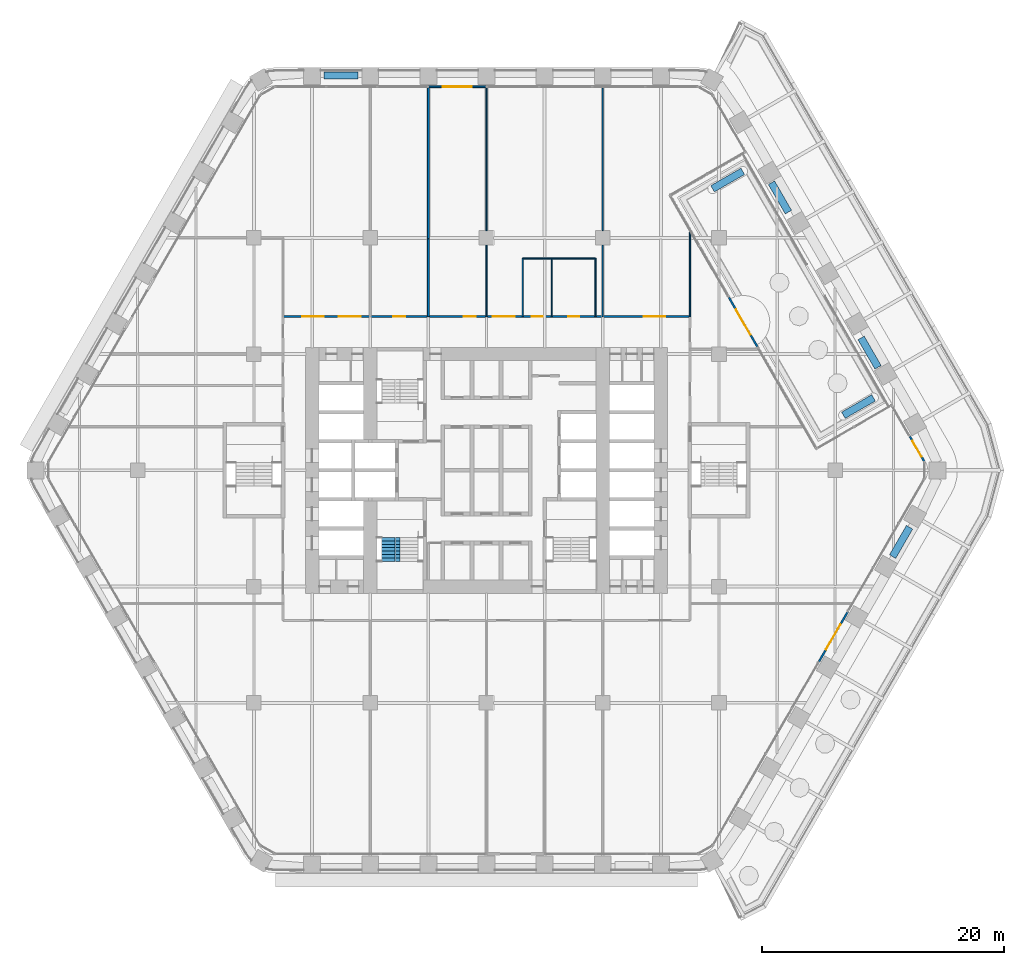
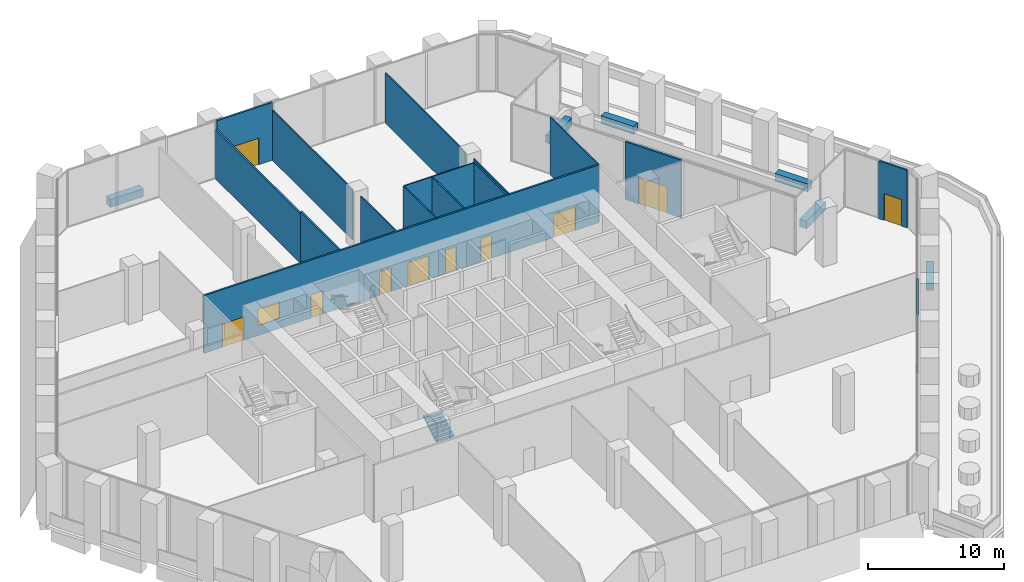
# One storey, part 25 of 32: 22 walls, 11 doors, 1 stair flight, 1 window, 12 openings, 1 element without a shape of its own.
"""IFC4 building model written with IfcOpenShell, lengths in metres."""

import ifcopenshell
import ifcopenshell.guid

model = None  # the IFC model being written
_history = None  # IfcOwnerHistory: only IFC2X3 demands one
_inside = {}  # id of a spatial element -> (the spatial element, [elements in it])
_under = {}  # id of a project, library or spatial element -> (it, [spatial elements below it])
_declared = {}  # id of a project -> (the project, [libraries it declares])
_typed = {}  # id of a type object -> (the type object, [elements of that type])
_made_of = {}  # id of a material, layer set ... -> (it, [elements and type objects made of it])


def new_model(schema):
    """Start an empty IFC model of exactly this schema.

    Asked for "IFC4X3", IfcOpenShell would pick the latest addendum, in which some entities
    have other attributes; the version numbers below select the first issue.
    IFC2X3 requires an IfcOwnerHistory on every rooted entity: one is made here for all.
    """
    global model, _history
    if schema == "IFC4X3":
        model = ifcopenshell.file(schema_version=(4, 3, 0, 0))
    else:
        model = ifcopenshell.file(schema=schema)
    _inside.clear()
    _under.clear()
    _declared.clear()
    _typed.clear()
    _made_of.clear()
    _history = None
    if model.schema == "IFC2X3":
        org = make("IfcOrganization", Name="unknown")
        user = make(
            "IfcPersonAndOrganization",
            ThePerson=make("IfcPerson", FamilyName="unknown"),
            TheOrganization=org,
        )
        app = make(
            "IfcApplication",
            ApplicationDeveloper=org,
            Version="unknown",
            ApplicationFullName="unknown",
            ApplicationIdentifier="unknown",
        )
        _history = make(
            "IfcOwnerHistory",
            OwningUser=user,
            OwningApplication=app,
            ChangeAction="ADDED",
            CreationDate=0,
        )
    return model


def make(cls, **values):
    """One entity of the class cls with the attributes given. An attribute that is None is left unset."""
    return model.create_entity(
        cls, **{name: value for name, value in values.items() if value is not None}
    )


def rooted(cls, **values):
    """An entity with a GlobalId (a new one), such as an element, a storey or a relation."""
    return make(cls, GlobalId=ifcopenshell.guid.new(), OwnerHistory=_history, **values)


def si_unit(unit_type, name, prefix=None):
    """IfcSIUnit, for example si_unit("LENGTHUNIT", "METRE", prefix="MILLI")."""
    return make("IfcSIUnit", UnitType=unit_type, Prefix=prefix, Name=name)


def assignment(units):
    """IfcUnitAssignment: the units of a project."""
    return None if units is None else make("IfcUnitAssignment", Units=units)


def point(xyz):
    """IfcCartesianPoint."""
    return None if xyz is None else make("IfcCartesianPoint", Coordinates=xyz)


def direction(xyz):
    """IfcDirection."""
    return None if xyz is None else make("IfcDirection", DirectionRatios=xyz)


def frame(location, z_axis=None, x_axis=None):
    """IfcAxis2Placement3D, a coordinate frame: its origin and axes. An axis left out is left unset."""
    return make(
        "IfcAxis2Placement3D",
        Location=point(location),
        Axis=direction(z_axis),
        RefDirection=direction(x_axis),
    )


def frame_2d(location, x_axis=None):
    """IfcAxis2Placement2D, a coordinate frame in the plane: its origin and x axis."""
    return make(
        "IfcAxis2Placement2D", Location=point(location), RefDirection=direction(x_axis)
    )


def origin():
    """The frame at (0, 0, 0) with its axes left unset."""
    return frame((0.0, 0.0, 0.0))


def place(relative_to, where):
    """IfcLocalPlacement: puts the frame where relative to a parent placement (None: the world)."""
    return make(
        "IfcLocalPlacement", PlacementRelTo=relative_to, RelativePlacement=where
    )


def context(
    kind, dimensions, precision=None, world=None, true_north=None, identifier=None
):
    """IfcGeometricRepresentationContext, for example the 3D "Model" context."""
    return make(
        "IfcGeometricRepresentationContext",
        ContextIdentifier=identifier,
        ContextType=kind,
        CoordinateSpaceDimension=dimensions,
        Precision=precision,
        WorldCoordinateSystem=world,
        TrueNorth=true_north,
    )


def subcontext(parent, identifier, kind, view, scale=None):
    """IfcGeometricRepresentationSubContext, for example "Body" below "Model"."""
    return make(
        "IfcGeometricRepresentationSubContext",
        ContextIdentifier=identifier,
        ContextType=kind,
        ParentContext=parent,
        TargetScale=scale,
        TargetView=view,
    )


def project(units=None, contexts=None):
    """IfcProject with its units and contexts."""
    return rooted(
        "IfcProject",
        Name="project",
        RepresentationContexts=contexts,
        UnitsInContext=assignment(units),
    )


def spatial(cls, under=None, at=None, **own):
    """A site, building, storey or space (cls), placed at a placement, below another one or the project."""
    s = rooted(cls, ObjectPlacement=at, **own)
    if under is not None:
        _under.setdefault(under.id(), (under, []))[1].append(s)
    return s


def polyline(points):
    """IfcPolyline through the points."""
    return make("IfcPolyline", Points=[point(p) for p in points])


def profile(cls, at=None, kind="AREA", **sizes):
    """A parametric profile (cls). Its sizes go by their IFC names, for example OverallWidth=200.0."""
    return make(cls, ProfileType=kind, Position=at, **sizes)


def rectangle(**sizes):
    """IfcRectangleProfileDef."""
    return profile("IfcRectangleProfileDef", **sizes)


def outline(outer, holes=None, kind="AREA"):
    """IfcArbitraryClosedProfileDef: a profile drawn as a closed curve; with holes, ...WithVoids."""
    if holes is None:
        return make("IfcArbitraryClosedProfileDef", ProfileType=kind, OuterCurve=outer)
    return make(
        "IfcArbitraryProfileDefWithVoids",
        ProfileType=kind,
        OuterCurve=outer,
        InnerCurves=holes,
    )


def extrude(swept, where, along, depth):
    """IfcExtrudedAreaSolid: the profile swept, set in the frame where, extruded along a direction by depth."""
    return make(
        "IfcExtrudedAreaSolid",
        SweptArea=swept,
        Position=where,
        ExtrudedDirection=direction(along),
        Depth=depth,
    )


def shape(context_of_items, identifier, shape_type, items):
    """IfcShapeRepresentation: the items that make up one representation, for example the "Body"."""
    return make(
        "IfcShapeRepresentation",
        ContextOfItems=context_of_items,
        RepresentationIdentifier=identifier,
        RepresentationType=shape_type,
        Items=items,
    )


def material(Name=None, Category=None):
    """IfcMaterial."""
    return make("IfcMaterial", Name=Name, Category=Category)


def layer(
    of_material, thickness, ventilated=None, Name=None, Category=None, Priority=None
):
    """IfcMaterialLayer: one layer of a wall or slab, of a material (None: an air gap)."""
    return make(
        "IfcMaterialLayer",
        Material=of_material,
        LayerThickness=thickness,
        IsVentilated=ventilated,
        Name=Name,
        Category=Category,
        Priority=Priority,
    )


def layer_set(layers, Name=None):
    """IfcMaterialLayerSet."""
    return make("IfcMaterialLayerSet", MaterialLayers=layers, LayerSetName=Name)


def made_of(thing, what):
    """Note that an element or type object is made of a material, layer set ...; save() writes the relation."""
    if what is not None:
        _made_of.setdefault(what.id(), (what, []))[1].append(thing)
    return thing


def type_object(cls, material=None, **own):
    """A type object (cls), such as IfcWallType, which elements share."""
    return made_of(rooted(cls, **own), material)


def element(
    cls,
    number,
    at=None,
    inside=None,
    cuts=None,
    type_object=None,
    material=None,
    context=None,
    identifier="Body",
    shape_type=None,
    held_by="IfcProductDefinitionShape",
    body=None,
    shapes=None,
    **own,
):
    """One element of the class cls, such as IfcWall. Its Tag is "e" and its number.

    at: its placement. inside: the storey or other place that contains it. cuts: it is an
    opening in that element (IfcRelVoidsElement). A single representation is given by context,
    identifier, shape_type and body (its items); several are given by shapes. held_by: the class
    of the entity that holds the representations. save() writes the other relations.
    """
    e = rooted(cls, Tag="e%d" % number, ObjectPlacement=at, **own)
    if body is not None:
        shapes = [shape(context, identifier, shape_type, body)]
    if shapes is not None:
        e.Representation = make(held_by, Representations=shapes)
    if inside is not None:
        _inside.setdefault(inside.id(), (inside, []))[1].append(e)
    if cuts is not None:
        rooted(
            "IfcRelVoidsElement", RelatingBuildingElement=cuts, RelatedOpeningElement=e
        )
    if type_object is not None:
        _typed.setdefault(type_object.id(), (type_object, []))[1].append(e)
    return made_of(e, material)


def fill(opening, filler):
    """IfcRelFillsElement: the door or window that sits in an opening."""
    return rooted(
        "IfcRelFillsElement",
        RelatingOpeningElement=opening,
        RelatedBuildingElement=filler,
    )


def aggregate(whole, parts):
    """IfcRelAggregates: a whole, such as a stair, and the parts it consists of."""
    return rooted("IfcRelAggregates", RelatingObject=whole, RelatedObjects=parts)


def save(model, path):
    """Write the relations noted so far, then the file.

    IfcRelAggregates (storeys below a building ...), IfcRelContainedInSpatialStructure (elements
    in a storey), IfcRelDefinesByType, IfcRelAssociatesMaterial and IfcRelDeclares: one each for
    every whole, place, type object, material and project.
    """
    for whole, parts in _under.values():
        aggregate(whole, parts)
    for where, things in _inside.values():
        rooted(
            "IfcRelContainedInSpatialStructure",
            RelatedElements=things,
            RelatingStructure=where,
        )
    for kind, things in _typed.values():
        rooted("IfcRelDefinesByType", RelatedObjects=things, RelatingType=kind)
    for what, things in _made_of.values():
        rooted("IfcRelAssociatesMaterial", RelatedObjects=things, RelatingMaterial=what)
    for by, libraries in _declared.values():
        rooted("IfcRelDeclares", RelatingContext=by, RelatedDefinitions=libraries)
    model.write(path)


model = new_model("IFC4")

# Units and contexts
model_context = context("Model", 3, precision=1e-05, world=origin(), true_north=direction((0.0, 1.0)))
body_context = subcontext(model_context, "Body", "Model", "MODEL_VIEW")
ifc_project = project(units=[si_unit("LENGTHUNIT", "METRE"), si_unit("AREAUNIT", "SQUARE_METRE"), si_unit("VOLUMEUNIT", "CUBIC_METRE"), si_unit("PLANEANGLEUNIT", "RADIAN"), si_unit("MASSUNIT", "GRAM", prefix="KILO")], contexts=[model_context])

# Site, building, storey
site_placement = place(None, origin())
site = spatial("IfcSite", under=ifc_project, at=site_placement, CompositionType="ELEMENT")
building_placement = place(site_placement, origin())
building = spatial("IfcBuilding", under=site, at=building_placement, Name="Kolab Exchange Tower", CompositionType="ELEMENT")
storey_placement = place(building_placement, frame((0.0, 0.0, 60.89990234375)))
storey = spatial("IfcBuildingStorey", under=building, at=storey_placement, Name="L11", CompositionType="ELEMENT", Elevation=60.89990234375)

# Wall, opening, door
ifc_material_1 = material(Name="Aluminium EN AW-6063 T6", Category="aluminium")
ifc_layer_1 = layer(ifc_material_1, 0.159912109375)
ifc_layer_set_1 = layer_set([ifc_layer_1], Name="Aluminium EN AW-6063 T6")
wall_type_1 = type_object("IfcWallType", Name="DOOR SURROUND WALL 160 ALUMINIUM FRAMED", PredefinedType="PARTITIONING", material=ifc_layer_set_1)
wall_1_placement = place(storey_placement, frame((-4.77001953125, 31.67529296875, 0.0), z_axis=(0.0, 0.0, 1.0), x_axis=(1.0, 0.0, 0.0)))
wall_1 = element("IfcWall", 1, at=wall_1_placement, inside=storey, type_object=wall_type_1, Name="Door surround wall", PredefinedType="PARTITIONING", context=body_context, shape_type="SweptSolid", body=[
    extrude(rectangle(XDim=4.739990234375, YDim=0.159912109375, at=frame_2d((2.3701171875, 0.0))), origin(), (0.0, 0.0, 1.0), 5.2001953125),
])
opening_1_placement = place(wall_1_placement, frame((1.169921875, 0.0, 0.0)))
opening_1 = element("IfcOpeningElement", 2, at=opening_1_placement, cuts=wall_1, Name="Opening GD1-023", PredefinedType="OPENING", context=body_context, shape_type="SweptSolid", body=[
    extrude(rectangle(XDim=2.39990234375, YDim=2.39990234375, at=frame_2d((1.199951171875, 1.199951171875))), frame((0.0, 0.08984375, 0.0), z_axis=(0.0, -1.0, 0.0), x_axis=(1.0, 0.0, 0.0)), (0.0, 0.0, 1.0), 0.179931640625),
])
door_type_1 = type_object("IfcDoorType", Name="LOGGIA SLIDING GLASS DOOR 2400 X 2400", OperationType="DOUBLE_DOOR_SINGLE_SWING", PredefinedType="DOOR", material=ifc_material_1)
door_1_placement = place(opening_1_placement, origin())
door_1 = element("IfcDoor", 3, at=door_1_placement, inside=storey, type_object=door_type_1, Name="Loggia door", OperationType="DOUBLE_DOOR_SLIDING", OverallHeight=2.39990234375, OverallWidth=2.39990234375, PredefinedType="DOOR", context=body_context, shape_type="SweptSolid", body=[
    extrude(rectangle(XDim=2.39990234375, YDim=2.39990234375, at=frame_2d((1.199951171875, 1.199951171875))), frame((0.0, 0.02490234375, 0.0), z_axis=(0.0, -1.0, 0.0), x_axis=(1.0, 0.0, 0.0)), (0.0, 0.0, 1.0), 0.050048828125),
])
fill(opening_1, door_1)

wall_2_placement = place(storey_placement, frame((20.00341796875, 14.303955078125, 0.0), z_axis=(0.0, 0.0, 1.0), x_axis=(0.500007367075, -0.86602115036, 0.0)))
wall_2 = element("IfcWall", 4, at=wall_2_placement, inside=storey, type_object=wall_type_1, Name="Door surround wall", PredefinedType="PARTITIONING", context=body_context, shape_type="SweptSolid", body=[
    extrude(rectangle(XDim=4.77197265625, YDim=0.159912109375, at=frame_2d((2.385986328125, 0.0))), origin(), (0.0, 0.0, 1.0), 5.2001953125),
])
opening_2_placement = place(wall_2_placement, frame((1.18603515625, 0.0, 0.0)))
opening_2 = element("IfcOpeningElement", 5, at=opening_2_placement, cuts=wall_2, Name="Opening GD1-030", PredefinedType="OPENING", context=body_context, shape_type="SweptSolid", body=[
    extrude(rectangle(XDim=2.39990234375, YDim=2.39990234375, at=frame_2d((1.199951171875, 1.199951171875))), frame((0.0, 0.08984375, 0.0), z_axis=(0.0, -1.0, 0.0), x_axis=(1.0, 0.0, 0.0)), (0.0, 0.0, 1.0), 0.179931640625),
])
door_2_placement = place(opening_2_placement, origin())
door_2 = element("IfcDoor", 6, at=door_2_placement, inside=storey, type_object=door_type_1, Name="Loggia door", OperationType="DOUBLE_DOOR_SLIDING", OverallHeight=2.39990234375, OverallWidth=2.39990234375, PredefinedType="DOOR", context=body_context, shape_type="SweptSolid", body=[
    extrude(rectangle(XDim=2.39990234375, YDim=2.39990234375, at=frame_2d((1.199951171875, 1.199951171875))), frame((0.0, 0.02490234375, 0.0), z_axis=(0.0, -1.0, 0.0), x_axis=(1.0, 0.0, 0.0)), (0.0, 0.0, 1.0), 0.050048828125),
])
fill(opening_2, door_2)

wall_3_placement = place(storey_placement, frame((34.95068359375, 2.814453125, 0.0), z_axis=(0.0, 0.0, 1.0), x_axis=(0.500001309137, -0.866024647952, 0.0)))
wall_3 = element("IfcWall", 7, at=wall_3_placement, inside=storey, type_object=wall_type_1, Name="Door surround wall", PredefinedType="PARTITIONING", context=body_context, shape_type="SweptSolid", body=[
    extrude(rectangle(XDim=2.39990234375, YDim=0.159912109375, at=frame_2d((1.199951171875, 0.0))), origin(), (0.0, 0.0, 1.0), 5.2001953125),
])
opening_3_placement = place(wall_3_placement, frame((0.449951171875, 0.0, 0.0)))
opening_3 = element("IfcOpeningElement", 8, at=opening_3_placement, cuts=wall_3, Name="Opening GD2-002", PredefinedType="OPENING", context=body_context, shape_type="SweptSolid", body=[
    extrude(rectangle(XDim=1.5, YDim=2.39990234375, at=frame_2d((0.75, 1.199951171875))), frame((0.0, 0.08984375, 0.0), z_axis=(0.0, -1.0, 0.0), x_axis=(1.0, 0.0, 0.0)), (0.0, 0.0, 1.0), 0.179931640625),
])
door_type_2 = type_object("IfcDoorType", Name="LOGGIA SLIDING GLASS DOOR 1500 X 2400", OperationType="SLIDING_TO_LEFT", PredefinedType="DOOR", material=ifc_material_1)
door_3_placement = place(opening_3_placement, origin())
door_3 = element("IfcDoor", 9, at=door_3_placement, inside=storey, type_object=door_type_2, Name="Loggia door", OperationType="DOUBLE_DOOR_SLIDING", OverallHeight=2.39990234375, OverallWidth=1.5, PredefinedType="DOOR", context=body_context, shape_type="SweptSolid", body=[
    extrude(rectangle(XDim=1.5, YDim=2.39990234375, at=frame_2d((0.75, 1.199951171875))), frame((0.0, 0.02490234375, 0.0), z_axis=(0.0, -1.0, 0.0), x_axis=(1.0, 0.0, 0.0)), (0.0, 0.0, 1.0), 0.050048828125),
])
fill(opening_3, door_3)

wall_4_placement = place(storey_placement, frame((29.816650390625, -11.706787109375, 0.0), z_axis=(0.0, 0.0, 1.0), x_axis=(-0.499978080042, -0.866038058908, 0.0)))
wall_4 = element("IfcWall", 10, at=wall_4_placement, inside=storey, type_object=wall_type_1, Name="Door surround wall", PredefinedType="PARTITIONING", context=body_context, shape_type="SweptSolid", body=[
    extrude(rectangle(XDim=4.739990234375, YDim=0.159912109375, at=frame_2d((2.3701171875, 0.0))), origin(), (0.0, 0.0, 1.0), 5.2001953125),
])
opening_4_placement = place(wall_4_placement, frame((1.169921875, 0.0, 0.0)))
opening_4 = element("IfcOpeningElement", 11, at=opening_4_placement, cuts=wall_4, Name="Opening GD1-025", PredefinedType="OPENING", context=body_context, shape_type="SweptSolid", body=[
    extrude(rectangle(XDim=2.39990234375, YDim=2.39990234375, at=frame_2d((1.199951171875, 1.199951171875))), frame((0.0, 0.08984375, 0.0), z_axis=(0.0, -1.0, 0.0), x_axis=(1.0, 0.0, 0.0)), (0.0, 0.0, 1.0), 0.179931640625),
])
door_4_placement = place(opening_4_placement, origin())
door_4 = element("IfcDoor", 12, at=door_4_placement, inside=storey, type_object=door_type_1, Name="Loggia door", OperationType="DOUBLE_DOOR_SLIDING", OverallHeight=2.39990234375, OverallWidth=2.39990234375, PredefinedType="DOOR", context=body_context, shape_type="SweptSolid", body=[
    extrude(rectangle(XDim=2.39990234375, YDim=2.39990234375, at=frame_2d((1.199951171875, 1.199951171875))), frame((0.0, 0.02490234375, 0.0), z_axis=(0.0, -1.0, 0.0), x_axis=(1.0, 0.0, 0.0)), (0.0, 0.0, 1.0), 0.050048828125),
])
fill(opening_4, door_4)

# Walls
ifc_material_2 = material(Name="Gypsum board", Category="gypsum")
ifc_layer_2 = layer(ifc_material_2, 0.10009765625)
ifc_layer_set_2 = layer_set([ifc_layer_2], Name="Gypsum board")
wall_type_2 = type_object("IfcWallType", Name="PARTITION 100", PredefinedType="PARTITIONING", material=ifc_layer_set_2)
wall_5_placement = place(storey_placement, frame((16.800048828125, 12.699951171875, 0.0), z_axis=(0.0, 0.0, 1.0), x_axis=(0.0, 1.0, 0.0)))
element("IfcWall", 13, at=wall_5_placement, inside=storey, type_object=wall_type_2, Name="Partition 000", PredefinedType="PARTITIONING", context=body_context, shape_type="SweptSolid", body=[
    extrude(rectangle(XDim=7.072265625, YDim=0.10009765625, at=frame_2d((3.5361328125, 0.0))), origin(), (0.0, 0.0, 1.0), 5.2001953125),
])
wall_6_placement = place(storey_placement, frame((9.60009765625, 12.699951171875, 0.0), z_axis=(0.0, 0.0, 1.0), x_axis=(0.0, 1.0, 0.0)))
element("IfcWall", 14, at=wall_6_placement, inside=storey, type_object=wall_type_2, Name="Partition 009", PredefinedType="PARTITIONING", context=body_context, shape_type="SweptSolid", body=[
    extrude(rectangle(XDim=5.900146484375, YDim=0.10009765625, at=frame_2d((2.9501953125, 0.0))), origin(), (0.0, 0.0, 1.0), 4.6669921875),
])
wall_7_placement = place(storey_placement, frame((9.60009765625, 19.800048828125, 0.0), z_axis=(0.0, 0.0, 1.0), x_axis=(0.0, 1.0, 0.0)))
element("IfcWall", 15, at=wall_7_placement, inside=storey, type_object=wall_type_2, Name="Partition 010", PredefinedType="PARTITIONING", context=body_context, shape_type="SweptSolid", body=[
    extrude(rectangle(XDim=11.785400390625, YDim=0.10009765625, at=frame_2d((5.892578125, 0.0))), origin(), (0.0, 0.0, 1.0), 4.51611328125),
])
for number, where, z_axis, x_axis, name in (
    (16, (9.0, 12.699951171875, 0.0), (0.0, 0.0, 1.0), (0.0, 1.0, 0.0), "Partition 011"),
    (17, (5.39990234375, 12.699951171875, 0.0), (0.0, 0.0, 1.0), (0.0, 1.0, 0.0), "Partition 012"),
    (18, (3.0, 12.699951171875, 0.0), (0.0, 0.0, 1.0), (0.0, 1.0, 0.0), "Partition 014"),
):
    element("IfcWall", number, at=place(storey_placement, frame(where, z_axis=z_axis, x_axis=x_axis)), inside=storey, type_object=wall_type_2, Name=name, PredefinedType="PARTITIONING", context=body_context, shape_type="SweptSolid", body=[
        extrude(rectangle(XDim=4.800048828125, YDim=0.10009765625, at=frame_2d((2.39990234375, 0.0))), origin(), (0.0, 0.0, 1.0), 5.2001953125),
    ])
wall_8_placement = place(storey_placement, frame((0.0, 12.699951171875, 0.0), z_axis=(0.0, 0.0, 1.0), x_axis=(0.0, 1.0, 0.0)))
element("IfcWall", 19, at=wall_8_placement, inside=storey, type_object=wall_type_2, Name="Partition 017", PredefinedType="PARTITIONING", context=body_context, shape_type="SweptSolid", body=[
    extrude(rectangle(XDim=5.900146484375, YDim=0.10009765625, at=frame_2d((2.9501953125, 0.0))), origin(), (0.0, 0.0, 1.0), 4.6669921875),
])
wall_9_placement = place(storey_placement, frame((0.0, 19.800048828125, 0.0), z_axis=(0.0, 0.0, 1.0), x_axis=(0.0, 1.0, 0.0)))
element("IfcWall", 20, at=wall_9_placement, inside=storey, type_object=wall_type_2, Name="Partition 018", PredefinedType="PARTITIONING", context=body_context, shape_type="SweptSolid", body=[
    extrude(rectangle(XDim=11.79541015625, YDim=0.10009765625, at=frame_2d((5.897705078125, 0.0))), origin(), (0.0, 0.0, 1.0), 4.51611328125),
])
wall_10_placement = place(storey_placement, frame((3.0, 17.5, 0.0), z_axis=(0.0, 0.0, 1.0), x_axis=(1.0, 0.0, 0.0)))
element("IfcWall", 21, at=wall_10_placement, inside=storey, type_object=wall_type_2, Name="Partition 043", PredefinedType="PARTITIONING", context=body_context, shape_type="SweptSolid", body=[
    extrude(rectangle(XDim=6.0, YDim=0.10009765625, at=frame_2d((3.0, 0.0))), origin(), (0.0, 0.0, 1.0), 5.2001953125),
])
ifc_layer_3 = layer(ifc_material_2, 0.14990234375)
ifc_layer_set_3 = layer_set([ifc_layer_3], Name="Gypsum board")
wall_type_3 = type_object("IfcWallType", Name="PARTITION 150 FIRE-RATED", PredefinedType="PARTITIONING", material=ifc_layer_set_3)
wall_11_placement = place(storey_placement, frame((-4.800048828125, 19.1064453125, 0.0), z_axis=(0.0, 0.0, 1.0), x_axis=(0.0, 1.0, 0.0)))
element("IfcWall", 22, at=wall_11_placement, inside=storey, type_object=wall_type_3, Name="Partition 020", PredefinedType="PARTITIONING", context=body_context, shape_type="SweptSolid", body=[
    extrude(rectangle(XDim=12.489013671875, YDim=0.14990234375, at=frame_2d((6.24462890625, 0.0))), origin(), (0.0, 0.0, 1.0), 4.43798828125),
])
wall_12_placement = place(storey_placement, frame((-4.800048828125, 12.699951171875, 0.0), z_axis=(0.0, 0.0, 1.0), x_axis=(0.0, 1.0, 0.0)))
element("IfcWall", 23, at=wall_12_placement, inside=storey, type_object=wall_type_3, Name="Partition 020", PredefinedType="PARTITIONING", context=body_context, shape_type="SweptSolid", body=[
    extrude(rectangle(XDim=6.406494140625, YDim=0.14990234375, at=frame_2d((3.203125, 0.0))), origin(), (0.0, 0.0, 1.0), 4.6669921875),
])

# Wall, openings, doors, window
wall_13_placement = place(storey_placement, frame((-16.800048828125, 12.699951171875, 0.0), z_axis=(0.0, 0.0, 1.0), x_axis=(1.0, 0.0, 0.0)))
wall_13 = element("IfcWall", 24, at=wall_13_placement, inside=storey, type_object=wall_type_3, Name="Partition 042", PredefinedType="PARTITIONING", context=body_context, shape_type="SweptSolid", body=[
    extrude(rectangle(XDim=33.60009765625, YDim=0.14990234375, at=frame_2d((16.800048828125, 0.0))), origin(), (0.0, 0.0, 1.0), 5.2001953125),
])
opening_5_placement = place(wall_13_placement, frame((1.574951171875, 0.0, 0.0)))
opening_5 = element("IfcOpeningElement", 25, at=opening_5_placement, cuts=wall_13, Name="Opening D2-031", PredefinedType="OPENING", context=body_context, shape_type="SweptSolid", body=[
    extrude(rectangle(XDim=1.800048828125, YDim=2.10009765625, at=frame_2d((0.89990234375, 1.050048828125))), frame((0.0, 0.0849609375, 0.0), z_axis=(0.0, -1.0, 0.0), x_axis=(1.0, 0.0, 0.0)), (0.0, 0.0, 1.0), 0.169921875),
])
opening_6_placement = place(wall_13_placement, frame((9.10009765625, 0.0, 0.0)))
opening_6 = element("IfcOpeningElement", 26, at=opening_6_placement, cuts=wall_13, Name="Opening D1-133", PredefinedType="OPENING", context=body_context, shape_type="SweptSolid", body=[
    extrude(rectangle(XDim=1.0, YDim=2.10009765625, at=frame_2d((0.5, 1.050048828125))), frame((0.0, 0.0849609375, 0.0), z_axis=(0.0, -1.0, 0.0), x_axis=(1.0, 0.0, 0.0)), (0.0, 0.0, 1.0), 0.169921875),
])
opening_7_placement = place(wall_13_placement, frame((14.9150390625, 0.0, 0.0)))
opening_7 = element("IfcOpeningElement", 27, at=opening_7_placement, cuts=wall_13, Name="Opening D1-134", PredefinedType="OPENING", context=body_context, shape_type="SweptSolid", body=[
    extrude(rectangle(XDim=1.0, YDim=2.10009765625, at=frame_2d((0.5, 1.050048828125))), frame((0.0, 0.0849609375, 0.0), z_axis=(0.0, -1.0, 0.0), x_axis=(1.0, 0.0, 0.0)), (0.0, 0.0, 1.0), 0.169921875),
])
opening_8_placement = place(wall_13_placement, frame((17.324951171875, 0.0, 0.0)))
opening_8 = element("IfcOpeningElement", 28, at=opening_8_placement, cuts=wall_13, Name="Opening D2-032", PredefinedType="OPENING", context=body_context, shape_type="SweptSolid", body=[
    extrude(rectangle(XDim=1.800048828125, YDim=2.10009765625, at=frame_2d((0.89990234375, 1.050048828125))), frame((0.0, 0.0849609375, 0.0), z_axis=(0.0, -1.0, 0.0), x_axis=(1.0, 0.0, 0.0)), (0.0, 0.0, 1.0), 0.169921875),
])
opening_9_placement = place(wall_13_placement, frame((29.77490234375, 0.0, 0.0)))
opening_9 = element("IfcOpeningElement", 29, at=opening_9_placement, cuts=wall_13, Name="Opening D2-033", PredefinedType="OPENING", context=body_context, shape_type="SweptSolid", body=[
    extrude(rectangle(XDim=1.800048828125, YDim=2.10009765625, at=frame_2d((0.89990234375, 1.050048828125))), frame((0.0, 0.0849609375, 0.0), z_axis=(0.0, -1.0, 0.0), x_axis=(1.0, 0.0, 0.0)), (0.0, 0.0, 1.0), 0.169921875),
])
opening_10_placement = place(wall_13_placement, frame((23.550048828125, 0.0, 0.0)))
opening_10 = element("IfcOpeningElement", 30, at=opening_10_placement, cuts=wall_13, Name="Opening D3-017", PredefinedType="OPENING", context=body_context, shape_type="SweptSolid", body=[
    extrude(rectangle(XDim=0.89990234375, YDim=2.10009765625, at=frame_2d((0.449951171875, 1.050048828125))), frame((0.0, 0.0849609375, 0.0), z_axis=(0.0, -1.0, 0.0), x_axis=(1.0, 0.0, 0.0)), (0.0, 0.0, 1.0), 0.169921875),
])
opening_11_placement = place(wall_13_placement, frame((20.550048828125, 0.0, 0.0)))
opening_11 = element("IfcOpeningElement", 31, at=opening_11_placement, cuts=wall_13, Name="Opening D3-018", PredefinedType="OPENING", context=body_context, shape_type="SweptSolid", body=[
    extrude(rectangle(XDim=0.89990234375, YDim=2.10009765625, at=frame_2d((0.449951171875, 1.050048828125))), frame((0.0, 0.0849609375, 0.0), z_axis=(0.0, -1.0, 0.0), x_axis=(1.0, 0.0, 0.0)), (0.0, 0.0, 1.0), 0.169921875),
])
opening_12_placement = place(wall_13_placement, frame((4.60009765625, 0.0, 0.89990234375)))
opening_12 = element("IfcOpeningElement", 32, at=opening_12_placement, cuts=wall_13, Name="Opening W1-006", PredefinedType="OPENING", context=body_context, shape_type="SweptSolid", body=[
    extrude(rectangle(XDim=1.800048828125, YDim=1.5, at=frame_2d((0.89990234375, 0.75))), frame((0.0, 0.0849609375, 0.0), z_axis=(0.0, -1.0, 0.0), x_axis=(1.0, 0.0, 0.0)), (0.0, 0.0, 1.0), 0.169921875),
])
ifc_material_3 = material(Name="Steel S235", Category="steel")
door_type_3 = type_object("IfcDoorType", Name="DOUBLE DOOR 1800 FD60", OperationType="DOUBLE_DOOR_SINGLE_SWING", PredefinedType="DOOR", material=ifc_material_3)
door_5_placement = place(opening_5_placement, origin())
door_5 = element("IfcDoor", 33, at=door_5_placement, inside=storey, type_object=door_type_3, Name="Door L11-051", OperationType="SINGLE_SWING_LEFT", OverallHeight=2.10009765625, OverallWidth=1.800048828125, PredefinedType="DOOR", context=body_context, shape_type="SweptSolid", body=[
    extrude(rectangle(XDim=1.800048828125, YDim=2.10009765625, at=frame_2d((0.89990234375, 1.050048828125))), frame((0.0, 0.02490234375, 0.0), z_axis=(0.0, -1.0, 0.0), x_axis=(1.0, 0.0, 0.0)), (0.0, 0.0, 1.0), 0.050048828125),
])
fill(opening_5, door_5)
door_6_placement = place(opening_8_placement, origin())
door_6 = element("IfcDoor", 34, at=door_6_placement, inside=storey, type_object=door_type_3, Name="Door L11-054", OperationType="SINGLE_SWING_LEFT", OverallHeight=2.10009765625, OverallWidth=1.800048828125, PredefinedType="DOOR", context=body_context, shape_type="SweptSolid", body=[
    extrude(rectangle(XDim=1.800048828125, YDim=2.10009765625, at=frame_2d((0.89990234375, 1.050048828125))), frame((0.0, 0.02490234375, 0.0), z_axis=(0.0, -1.0, 0.0), x_axis=(1.0, 0.0, 0.0)), (0.0, 0.0, 1.0), 0.050048828125),
])
fill(opening_8, door_6)
door_7_placement = place(opening_9_placement, origin())
door_7 = element("IfcDoor", 35, at=door_7_placement, inside=storey, type_object=door_type_3, Name="Door L11-055", OperationType="SINGLE_SWING_RIGHT", OverallHeight=2.10009765625, OverallWidth=1.800048828125, PredefinedType="DOOR", context=body_context, shape_type="SweptSolid", body=[
    extrude(rectangle(XDim=1.800048828125, YDim=2.10009765625, at=frame_2d((0.89990234375, 1.050048828125))), frame((0.0, 0.02490234375, 0.0), z_axis=(0.0, -1.0, 0.0), x_axis=(1.0, 0.0, 0.0)), (0.0, 0.0, 1.0), 0.050048828125),
])
fill(opening_9, door_7)
door_type_4 = type_object("IfcDoorType", Name="FLUSH DOOR 1000 FD60", OperationType="SINGLE_SWING_LEFT", PredefinedType="DOOR", material=ifc_material_3)
door_8_placement = place(opening_6_placement, origin())
door_8 = element("IfcDoor", 36, at=door_8_placement, inside=storey, type_object=door_type_4, Name="Door L11-052", OperationType="SINGLE_SWING_LEFT", OverallHeight=2.10009765625, OverallWidth=1.0, PredefinedType="DOOR", context=body_context, shape_type="SweptSolid", body=[
    extrude(rectangle(XDim=1.0, YDim=2.10009765625, at=frame_2d((0.5, 1.050048828125))), frame((0.0, 0.02490234375, 0.0), z_axis=(0.0, -1.0, 0.0), x_axis=(1.0, 0.0, 0.0)), (0.0, 0.0, 1.0), 0.050048828125),
])
fill(opening_6, door_8)
door_9_placement = place(opening_7_placement, origin())
door_9 = element("IfcDoor", 37, at=door_9_placement, inside=storey, type_object=door_type_4, Name="Door L11-053", OperationType="SINGLE_SWING_RIGHT", OverallHeight=2.10009765625, OverallWidth=1.0, PredefinedType="DOOR", context=body_context, shape_type="SweptSolid", body=[
    extrude(rectangle(XDim=1.0, YDim=2.10009765625, at=frame_2d((0.5, 1.050048828125))), frame((0.0, 0.02490234375, 0.0), z_axis=(0.0, -1.0, 0.0), x_axis=(1.0, 0.0, 0.0)), (0.0, 0.0, 1.0), 0.050048828125),
])
fill(opening_7, door_9)
door_type_5 = type_object("IfcDoorType", Name="FLUSH DOOR 900 FD60", OperationType="SINGLE_SWING_LEFT", PredefinedType="DOOR", material=ifc_material_3)
door_10_placement = place(opening_10_placement, origin())
door_10 = element("IfcDoor", 38, at=door_10_placement, inside=storey, type_object=door_type_5, Name="Door L11-068", OperationType="SINGLE_SWING_LEFT", OverallHeight=2.10009765625, OverallWidth=0.89990234375, PredefinedType="DOOR", context=body_context, shape_type="SweptSolid", body=[
    extrude(rectangle(XDim=0.89990234375, YDim=2.10009765625, at=frame_2d((0.449951171875, 1.050048828125))), frame((0.0, 0.02490234375, 0.0), z_axis=(0.0, -1.0, 0.0), x_axis=(1.0, 0.0, 0.0)), (0.0, 0.0, 1.0), 0.050048828125),
])
fill(opening_10, door_10)
door_11_placement = place(opening_11_placement, origin())
door_11 = element("IfcDoor", 39, at=door_11_placement, inside=storey, type_object=door_type_5, Name="Door L11-069", OperationType="SINGLE_SWING_LEFT", OverallHeight=2.10009765625, OverallWidth=0.89990234375, PredefinedType="DOOR", context=body_context, shape_type="SweptSolid", body=[
    extrude(rectangle(XDim=0.89990234375, YDim=2.10009765625, at=frame_2d((0.449951171875, 1.050048828125))), frame((0.0, 0.02490234375, 0.0), z_axis=(0.0, -1.0, 0.0), x_axis=(1.0, 0.0, 0.0)), (0.0, 0.0, 1.0), 0.050048828125),
])
fill(opening_11, door_11)
ifc_material_4 = material(Name="Fire-rated glazing", Category="glass")
window_type = type_object("IfcWindowType", Name="OBSERVATION WINDOW 1800 X 1500 EI 60", PartitioningType="SINGLE_PANEL", PredefinedType="WINDOW", material=ifc_material_4)
window_placement = place(opening_12_placement, origin())
window = element("IfcWindow", 40, at=window_placement, inside=storey, type_object=window_type, Name="Viewing window L11-2", OverallHeight=1.5, OverallWidth=1.800048828125, PartitioningType="SINGLE_PANEL", PredefinedType="WINDOW", context=body_context, shape_type="SweptSolid", body=[
    extrude(rectangle(XDim=1.800048828125, YDim=1.5, at=frame_2d((0.89990234375, 0.75))), frame((0.0, 0.030029296875, 0.0), z_axis=(0.0, -1.0, 0.0), x_axis=(1.0, 0.0, 0.0)), (0.0, 0.0, 1.0), 0.06005859375),
])
fill(opening_12, window)

# Walls
ifc_material_5 = material(Name="Granite facing", Category="masonry")
ifc_layer_4 = layer(ifc_material_5, 0.0400390625)
ifc_material_6 = material(Name="Concrete C40/50 precast", Category="concrete")
ifc_layer_5 = layer(ifc_material_6, 0.56005859375)
ifc_layer_set_4 = layer_set([ifc_layer_4, ifc_layer_5], Name="Concrete C40/50 precast")
wall_type_4 = type_object("IfcWallType", Name="PLANTER BOX 600 X 700 SOIL DEPTH 550", PredefinedType="USERDEFINED", material=ifc_layer_set_4)
for number, where, z_axis, x_axis, name in (
    (41, (-13.39990234375, 32.60546875, 0.0), (0.0, 0.0, 1.0), (1.0, 0.0, 0.0), "Planter"),
    (42, (34.93701171875, -4.697998046875, 0.0), (0.0, 0.0, 1.0), (-0.49998411664, -0.866034573852, 0.0), "Planter"),
):
    element("IfcWall", number, at=place(storey_placement, frame(where, z_axis=z_axis, x_axis=x_axis)), inside=storey, type_object=wall_type_4, Name=name, ObjectType="PLANTER", PredefinedType="USERDEFINED", context=body_context, shape_type="SweptSolid", body=[
        extrude(rectangle(XDim=2.7998046875, YDim=0.60009765625, at=frame_2d((1.39990234375, 0.0))), origin(), (0.0, 0.0, 1.0), 0.7001953125),
    ])
wall_14_placement = place(storey_placement, frame((18.67138671875, 23.250732421875, 0.0), z_axis=(0.0, 0.0, 1.0), x_axis=(0.866054314686, 0.499949921505, 0.0)))
element("IfcWall", 43, at=wall_14_placement, inside=storey, type_object=wall_type_4, Name="Planter", ObjectType="PLANTER", PredefinedType="USERDEFINED", context=body_context, shape_type="SweptSolid", body=[
    extrude(rectangle(XDim=2.880126953125, YDim=0.60009765625, at=frame_2d((1.43994140625, 0.0))), origin(), (0.0, 0.0, 1.0), 0.7001953125),
])
wall_15_placement = place(storey_placement, frame((29.471435546875, 4.544677734375, 0.0), z_axis=(0.0, 0.0, 1.0), x_axis=(0.866033125095, 0.499986626058, 0.0)))
element("IfcWall", 44, at=wall_15_placement, inside=storey, type_object=wall_type_4, Name="Planter", ObjectType="PLANTER", PredefinedType="USERDEFINED", context=body_context, shape_type="SweptSolid", body=[
    extrude(rectangle(XDim=2.8798828125, YDim=0.60009765625, at=frame_2d((1.43994140625, 0.0))), origin(), (0.0, 0.0, 1.0), 0.7001953125),
])
wall_16_placement = place(storey_placement, frame((24.93408203125, 21.32373046875, 0.0), z_axis=(0.0, 0.0, 1.0), x_axis=(-0.500011755427, 0.866018616679, 0.0)))
element("IfcWall", 45, at=wall_16_placement, inside=storey, type_object=wall_type_4, Name="Planter", ObjectType="PLANTER", PredefinedType="USERDEFINED", context=body_context, shape_type="SweptSolid", body=[
    extrude(rectangle(XDim=2.80029296875, YDim=0.60009765625, at=frame_2d((1.400146484375, 0.0))), origin(), (0.0, 0.0, 1.0), 0.7001953125),
])
wall_17_placement = place(storey_placement, frame((30.93408203125, 10.931640625, 0.0), z_axis=(0.0, 0.0, 1.0), x_axis=(0.49994636267, -0.866056369097, 0.0)))
element("IfcWall", 46, at=wall_17_placement, inside=storey, type_object=wall_type_4, Name="Planter", ObjectType="PLANTER", PredefinedType="USERDEFINED", context=body_context, shape_type="SweptSolid", body=[
    extrude(rectangle(XDim=2.800048828125, YDim=0.60009765625, at=frame_2d((1.39990234375, 0.0))), origin(), (0.0, 0.0, 1.0), 0.7001953125),
])

# Stair, stair flight
ifc_material_7 = material(Name="Concrete C50/60", Category="concrete")
stair_type = type_object("IfcStairType", Name="STAIR ST3 RISER 171.9", PredefinedType="DOUBLE_RETURN_STAIR", material=ifc_material_7)
stair_placement = place(storey_placement, origin())
stair = element("IfcStair", 47, at=stair_placement, inside=storey, type_object=stair_type, Name="Stair 3", PredefinedType="DOUBLE_RETURN_STAIR")
stair_flight_type = type_object("IfcStairFlightType", Name="STAIR FLIGHT 1500 RISER 171.9", PredefinedType="STRAIGHT", material=ifc_material_7)
stair_flight_placement = place(storey_placement, frame((-7.909912109375, -7.510009765625, 1.375), z_axis=(0.0, 0.0, 1.0), x_axis=(0.0, 1.0, 0.0)))
stair_flight = element("IfcStairFlight", 48, at=stair_flight_placement, type_object=stair_flight_type, Name="ST3 flight 2", NumberOfRisers=8, NumberOfTreads=7, PredefinedType="STRAIGHT", RiserHeight=0.171875, TreadLength=0.28, context=body_context, shape_type="SweptSolid", body=[
    extrude(outline(polyline([(0.0, 0.0), (0.0, 0.171875), (0.280029296875, 0.171875), (0.280029296875, 0.34375), (0.56005859375, 0.34375), (0.56005859375, 0.515625), (0.840087890625, 0.515625), (0.840087890625, 0.6875), (1.1201171875, 0.6875), (1.1201171875, 0.859375), (1.39990234375, 0.859375), (1.39990234375, 1.03125), (1.679931640625, 1.03125), (1.679931640625, 1.203125), (1.9599609375, 1.203125), (1.9599609375, 1.375), (1.9599609375, 1.02734375), (0.28662109375, 0.0), (0.0, 0.0)])), frame((0.0, 0.75, 0.0), z_axis=(0.0, -1.0, 0.0), x_axis=(1.0, 0.0, 0.0)), (0.0, 0.0, 1.0), 0.185791015625),
    extrude(outline(polyline([(0.0, 0.0), (0.0, 0.171875), (0.280029296875, 0.171875), (0.280029296875, 0.34375), (0.56005859375, 0.34375), (0.56005859375, 0.515625), (0.840087890625, 0.515625), (0.840087890625, 0.6875), (1.1201171875, 0.6875), (1.1201171875, 0.859375), (1.39990234375, 0.859375), (1.39990234375, 1.03125), (1.679931640625, 1.03125), (1.679931640625, 1.203125), (1.9599609375, 1.203125), (1.9599609375, 1.375), (1.9599609375, 1.02734375), (0.28662109375, 0.0), (0.0, 0.0)])), frame((0.0, 0.562255859375, 0.0), z_axis=(0.0, -1.0, 0.0), x_axis=(1.0, 0.0, 0.0)), (0.0, 0.0, 1.0), 0.185791015625),
    extrude(outline(polyline([(0.0, 0.0), (0.0, 0.171875), (0.280029296875, 0.171875), (0.280029296875, 0.34375), (0.56005859375, 0.34375), (0.56005859375, 0.515625), (0.840087890625, 0.515625), (0.840087890625, 0.6875), (1.1201171875, 0.6875), (1.1201171875, 0.859375), (1.39990234375, 0.859375), (1.39990234375, 1.03125), (1.679931640625, 1.03125), (1.679931640625, 1.203125), (1.9599609375, 1.203125), (1.9599609375, 1.375), (1.9599609375, 1.02734375), (0.28662109375, 0.0), (0.0, 0.0)])), frame((0.0, 0.37451171875, 0.0), z_axis=(0.0, -1.0, 0.0), x_axis=(1.0, 0.0, 0.0)), (0.0, 0.0, 1.0), 0.185791015625),
    extrude(outline(polyline([(0.0, 0.0), (0.0, 0.171875), (0.280029296875, 0.171875), (0.280029296875, 0.34375), (0.56005859375, 0.34375), (0.56005859375, 0.515625), (0.840087890625, 0.515625), (0.840087890625, 0.6875), (1.1201171875, 0.6875), (1.1201171875, 0.859375), (1.39990234375, 0.859375), (1.39990234375, 1.03125), (1.679931640625, 1.03125), (1.679931640625, 1.203125), (1.9599609375, 1.203125), (1.9599609375, 1.375), (1.9599609375, 1.02734375), (0.28662109375, 0.0), (0.0, 0.0)])), frame((0.0, 0.186767578125, 0.0), z_axis=(0.0, -1.0, 0.0), x_axis=(1.0, 0.0, 0.0)), (0.0, 0.0, 1.0), 0.185791015625),
    extrude(outline(polyline([(0.0, 0.0), (0.0, 0.171875), (0.280029296875, 0.171875), (0.280029296875, 0.34375), (0.56005859375, 0.34375), (0.56005859375, 0.515625), (0.840087890625, 0.515625), (0.840087890625, 0.6875), (1.1201171875, 0.6875), (1.1201171875, 0.859375), (1.39990234375, 0.859375), (1.39990234375, 1.03125), (1.679931640625, 1.03125), (1.679931640625, 1.203125), (1.9599609375, 1.203125), (1.9599609375, 1.375), (1.9599609375, 1.02734375), (0.28662109375, 0.0), (0.0, 0.0)])), frame((0.0, -0.0009765625, 0.0), z_axis=(0.0, -1.0, 0.0), x_axis=(1.0, 0.0, 0.0)), (0.0, 0.0, 1.0), 0.185791015625),
    extrude(outline(polyline([(0.0, 0.0), (0.0, 0.171875), (0.280029296875, 0.171875), (0.280029296875, 0.34375), (0.56005859375, 0.34375), (0.56005859375, 0.515625), (0.840087890625, 0.515625), (0.840087890625, 0.6875), (1.1201171875, 0.6875), (1.1201171875, 0.859375), (1.39990234375, 0.859375), (1.39990234375, 1.03125), (1.679931640625, 1.03125), (1.679931640625, 1.203125), (1.9599609375, 1.203125), (1.9599609375, 1.375), (1.9599609375, 1.02734375), (0.28662109375, 0.0), (0.0, 0.0)])), frame((0.0, -0.188720703125, 0.0), z_axis=(0.0, -1.0, 0.0), x_axis=(1.0, 0.0, 0.0)), (0.0, 0.0, 1.0), 0.185791015625),
    extrude(outline(polyline([(0.0, 0.0), (0.0, 0.171875), (0.280029296875, 0.171875), (0.280029296875, 0.34375), (0.56005859375, 0.34375), (0.56005859375, 0.515625), (0.840087890625, 0.515625), (0.840087890625, 0.6875), (1.1201171875, 0.6875), (1.1201171875, 0.859375), (1.39990234375, 0.859375), (1.39990234375, 1.03125), (1.679931640625, 1.03125), (1.679931640625, 1.203125), (1.9599609375, 1.203125), (1.9599609375, 1.375), (1.9599609375, 1.02734375), (0.28662109375, 0.0), (0.0, 0.0)])), frame((0.0, -0.37646484375, 0.0), z_axis=(0.0, -1.0, 0.0), x_axis=(1.0, 0.0, 0.0)), (0.0, 0.0, 1.0), 0.185791015625),
    extrude(outline(polyline([(0.0, 0.0), (0.0, 0.171875), (0.280029296875, 0.171875), (0.280029296875, 0.34375), (0.56005859375, 0.34375), (0.56005859375, 0.515625), (0.840087890625, 0.515625), (0.840087890625, 0.6875), (1.1201171875, 0.6875), (1.1201171875, 0.859375), (1.39990234375, 0.859375), (1.39990234375, 1.03125), (1.679931640625, 1.03125), (1.679931640625, 1.203125), (1.9599609375, 1.203125), (1.9599609375, 1.375), (1.9599609375, 1.02734375), (0.28662109375, 0.0), (0.0, 0.0)])), frame((0.0, -0.564208984375, 0.0), z_axis=(0.0, -1.0, 0.0), x_axis=(1.0, 0.0, 0.0)), (0.0, 0.0, 1.0), 0.185791015625),
])
aggregate(stair, [stair_flight])

save(model, "model.ifc")
